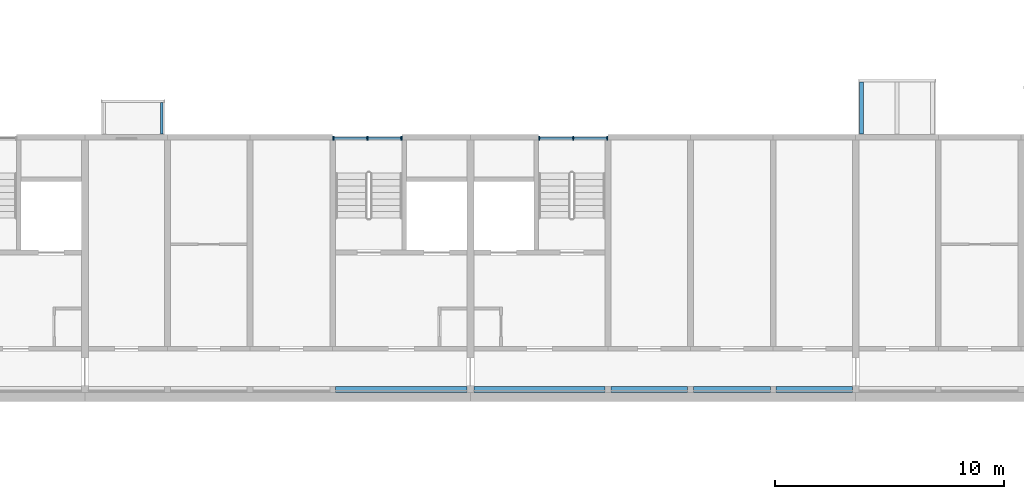
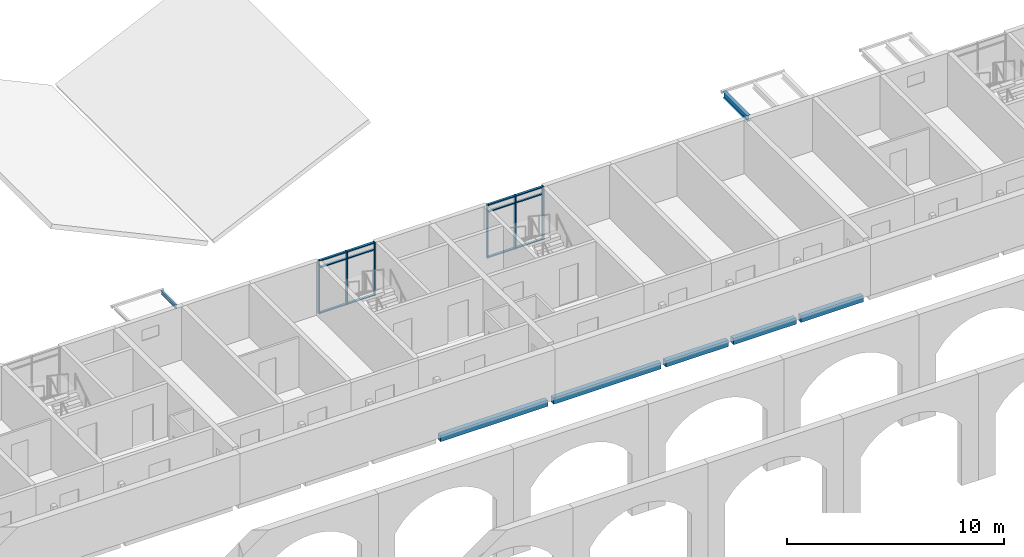
# One storey, part 11 of 122: 18 members, 7 beams, 2 elements without a shape of their own.
"""IFC4 building model written with IfcOpenShell, lengths in metres."""

from ifc_helpers import new_model, si_unit, direction, frame, origin, origin_2d, place, context, subcontext, project, spatial, rectangle, i_section, extrude, material, material_profile, profile_set, type_object, element, aggregate, save


model = new_model("IFC4")

# Units and contexts
model_context = context("Model", 3, precision=1e-05, world=origin(), true_north=direction((0.0, 1.0)))
body_context = subcontext(model_context, "Body", "Model", "MODEL_VIEW")
ifc_project = project(units=[si_unit("LENGTHUNIT", "METRE"), si_unit("AREAUNIT", "SQUARE_METRE"), si_unit("VOLUMEUNIT", "CUBIC_METRE"), si_unit("PLANEANGLEUNIT", "RADIAN"), si_unit("MASSUNIT", "GRAM", prefix="KILO")], contexts=[model_context])

# Site, building, storey
site_placement = place(None, origin())
site = spatial("IfcSite", under=ifc_project, at=site_placement, CompositionType="ELEMENT")
building_placement = place(site_placement, origin())
building = spatial("IfcBuilding", under=site, at=building_placement, Name="Ridgestep Commons", CompositionType="ELEMENT")
storey_placement = place(building_placement, frame((0.0, 0.0, 3.0)))
storey = spatial("IfcBuildingStorey", under=building, at=storey_placement, Name="L01", CompositionType="ELEMENT", Elevation=3.0)

# Beams
ifc_material_1 = material(Name="Precast concrete C40/50", Category="concrete")
ifc_material_profile_1 = material_profile(ifc_material_1, rectangle(XDim=0.25, YDim=0.35009765625, at=origin_2d()), Name="PC 250x350")
ifc_profile_set_1 = profile_set([ifc_material_profile_1], Name="Precast concrete C40/50")
beam_type_1 = type_object("IfcBeamType", Name="Loggia edge beam 250 x 350", PredefinedType="SPANDREL", material=ifc_profile_set_1)
beam_1_placement = place(storey_placement, frame((39.72509765625, 11.875, -0.375), z_axis=(1.0, 0.0, 0.0), x_axis=(0.0, 1.0, 0.0)))
element("IfcBeam", 1, at=beam_1_placement, inside=storey, type_object=beam_type_1, Name="Loggia edge beam A2C L01", PredefinedType="SPANDREL", context=body_context, shape_type="SweptSolid", body=[
    extrude(rectangle(XDim=0.25, YDim=0.35009765625, at=origin_2d()), origin(), (0.0, 0.0, 1.0), 5.724853515625),
])
beam_2_placement = place(storey_placement, frame((45.75, 11.875, -0.375), z_axis=(1.0, 0.0, 0.0), x_axis=(0.0, 1.0, 0.0)))
element("IfcBeam", 2, at=beam_2_placement, inside=storey, type_object=beam_type_1, Name="Loggia edge beam A3C L01", PredefinedType="SPANDREL", context=body_context, shape_type="SweptSolid", body=[
    extrude(rectangle(XDim=0.25, YDim=0.35009765625, at=origin_2d()), origin(), (0.0, 0.0, 1.0), 5.72509765625),
])
beam_3_placement = place(storey_placement, frame((51.72509765625, 11.875, -0.375), z_axis=(1.0, 0.0, 0.0), x_axis=(0.0, 1.0, 0.0)))
element("IfcBeam", 3, at=beam_3_placement, inside=storey, type_object=beam_type_1, Name="Loggia edge beam A3T3 L01", PredefinedType="SPANDREL", context=body_context, shape_type="SweptSolid", body=[
    extrude(rectangle(XDim=0.25, YDim=0.35009765625, at=origin_2d()), origin(), (0.0, 0.0, 1.0), 3.349853515625),
])
beam_4_placement = place(storey_placement, frame((55.324951171875, 11.875, -0.375), z_axis=(1.0, 0.0, 0.0), x_axis=(0.0, 1.0, 0.0)))
element("IfcBeam", 4, at=beam_4_placement, inside=storey, type_object=beam_type_1, Name="Loggia edge beam A3T2 L01", PredefinedType="SPANDREL", context=body_context, shape_type="SweptSolid", body=[
    extrude(rectangle(XDim=0.25, YDim=0.35009765625, at=origin_2d()), origin(), (0.0, 0.0, 1.0), 3.35009765625),
])
beam_5_placement = place(storey_placement, frame((58.925048828125, 11.875, -0.375), z_axis=(1.0, 0.0, 0.0), x_axis=(0.0, 1.0, 0.0)))
element("IfcBeam", 5, at=beam_5_placement, inside=storey, type_object=beam_type_1, Name="Loggia edge beam A3T1 L01", PredefinedType="SPANDREL", context=body_context, shape_type="SweptSolid", body=[
    extrude(rectangle(XDim=0.25, YDim=0.35009765625, at=origin_2d()), origin(), (0.0, 0.0, 1.0), 3.324951171875),
])

# Curtain wall, members
ifc_material_2 = material(Name="Aluminium 6063-T6 and glass", Category="aluminium")
curtain_wall_type = type_object("IfcCurtainWallType", Name="Curtain wall stair strip", PredefinedType="NOTDEFINED", material=ifc_material_2)
curtain_wall_1_placement = place(storey_placement, origin())
curtain_wall_1 = element("IfcCurtainWall", 6, at=curtain_wall_1_placement, inside=storey, type_object=curtain_wall_type, Name="Curtain wall A2C level 01", PredefinedType="NOTDEFINED")
ifc_material_3 = material(Name="Aluminium 6063-T6", Category="aluminium")
ifc_material_profile_2 = material_profile(ifc_material_3, rectangle(XDim=0.159912109375, YDim=0.06005859375, at=origin_2d()), Name="Mullion 60 x 160")
ifc_profile_set_2 = profile_set([ifc_material_profile_2], Name="Aluminium 6063-T6")
member_type_1 = type_object("IfcMemberType", Name="Mullion 60 x 160", PredefinedType="MULLION", material=ifc_profile_set_2)
member_1_placement = place(storey_placement, frame((39.6298828125, 22.830078125, 0.0), z_axis=(0.0, 0.0, 1.0), x_axis=(0.0, 1.0, 0.0)))
member_1 = element("IfcMember", 7, at=member_1_placement, type_object=member_type_1, Name="CW1 mullion 1", PredefinedType="MULLION", context=body_context, shape_type="SweptSolid", body=[
    extrude(rectangle(XDim=0.159912109375, YDim=0.06005859375, at=origin_2d()), origin(), (0.0, 0.0, 1.0), 3.0),
])
member_2_placement = place(storey_placement, frame((41.112548828125, 22.830078125, 0.0), z_axis=(0.0, 0.0, 1.0), x_axis=(0.0, 1.0, 0.0)))
member_2 = element("IfcMember", 8, at=member_2_placement, type_object=member_type_1, Name="CW1 mullion 2", PredefinedType="MULLION", context=body_context, shape_type="SweptSolid", body=[
    extrude(rectangle(XDim=0.159912109375, YDim=0.06005859375, at=origin_2d()), origin(), (0.0, 0.0, 1.0), 3.0),
])
member_3_placement = place(storey_placement, frame((42.594970703125, 22.830078125, 0.0), z_axis=(0.0, 0.0, 1.0), x_axis=(0.0, 1.0, 0.0)))
member_3 = element("IfcMember", 9, at=member_3_placement, type_object=member_type_1, Name="CW1 mullion 3", PredefinedType="MULLION", context=body_context, shape_type="SweptSolid", body=[
    extrude(rectangle(XDim=0.159912109375, YDim=0.06005859375, at=origin_2d()), origin(), (0.0, 0.0, 1.0), 3.0),
])

curtain_wall_2_placement = place(storey_placement, origin())
curtain_wall_2 = element("IfcCurtainWall", 10, at=curtain_wall_2_placement, inside=storey, type_object=curtain_wall_type, Name="Curtain wall A3C level 01", PredefinedType="NOTDEFINED")
member_4_placement = place(storey_placement, frame((48.60498046875, 22.830078125, 0.0), z_axis=(0.0, 0.0, 1.0), x_axis=(0.0, 1.0, 0.0)))
member_4 = element("IfcMember", 11, at=member_4_placement, type_object=member_type_1, Name="CW1 mullion 1", PredefinedType="MULLION", context=body_context, shape_type="SweptSolid", body=[
    extrude(rectangle(XDim=0.159912109375, YDim=0.06005859375, at=origin_2d()), origin(), (0.0, 0.0, 1.0), 3.0),
])
member_5_placement = place(storey_placement, frame((50.08740234375, 22.830078125, 0.0), z_axis=(0.0, 0.0, 1.0), x_axis=(0.0, 1.0, 0.0)))
member_5 = element("IfcMember", 12, at=member_5_placement, type_object=member_type_1, Name="CW1 mullion 2", PredefinedType="MULLION", context=body_context, shape_type="SweptSolid", body=[
    extrude(rectangle(XDim=0.159912109375, YDim=0.06005859375, at=origin_2d()), origin(), (0.0, 0.0, 1.0), 3.0),
])
member_6_placement = place(storey_placement, frame((51.570068359375, 22.830078125, 0.0), z_axis=(0.0, 0.0, 1.0), x_axis=(0.0, 1.0, 0.0)))
member_6 = element("IfcMember", 13, at=member_6_placement, type_object=member_type_1, Name="CW1 mullion 3", PredefinedType="MULLION", context=body_context, shape_type="SweptSolid", body=[
    extrude(rectangle(XDim=0.159912109375, YDim=0.06005859375, at=origin_2d()), origin(), (0.0, 0.0, 1.0), 3.0),
])

# Member
ifc_material_4 = material(Name="Aluminium 6063-T6", Category="aluminium")
ifc_material_profile_3 = material_profile(ifc_material_4, rectangle(XDim=0.1201171875, YDim=0.06005859375, at=origin_2d()), Name="Transom 60 x 120")
ifc_profile_set_3 = profile_set([ifc_material_profile_3], Name="Aluminium 6063-T6")
member_type_2 = type_object("IfcMemberType", Name="Transom 60 x 120", PredefinedType="USERDEFINED", material=ifc_profile_set_3)
member_7_placement = place(storey_placement, frame((39.659912109375, 22.830078125, 0.030029296875), z_axis=(1.0, 0.0, 0.0), x_axis=(0.0, 1.0, 0.0)))
member_7 = element("IfcMember", 14, at=member_7_placement, type_object=member_type_2, Name="CW1 transom 1.1", ObjectType="TRANSOM", PredefinedType="USERDEFINED", context=body_context, shape_type="SweptSolid", body=[
    extrude(rectangle(XDim=0.1201171875, YDim=0.06005859375, at=origin_2d()), origin(), (0.0, 0.0, 1.0), 1.422607421875),
])

member_8_placement = place(storey_placement, frame((39.659912109375, 22.830078125, 2.590087890625), z_axis=(1.0, 0.0, 0.0), x_axis=(0.0, 1.0, 0.0)))
member_8 = element("IfcMember", 15, at=member_8_placement, type_object=member_type_2, Name="CW1 transom 1.2", ObjectType="TRANSOM", PredefinedType="USERDEFINED", context=body_context, shape_type="SweptSolid", body=[
    extrude(rectangle(XDim=0.1201171875, YDim=0.06005859375, at=origin_2d()), origin(), (0.0, 0.0, 1.0), 1.422607421875),
])

member_9_placement = place(storey_placement, frame((39.659912109375, 22.830078125, 2.969970703125), z_axis=(1.0, 0.0, 0.0), x_axis=(0.0, 1.0, 0.0)))
member_9 = element("IfcMember", 16, at=member_9_placement, type_object=member_type_2, Name="CW1 transom 1.3", ObjectType="TRANSOM", PredefinedType="USERDEFINED", context=body_context, shape_type="SweptSolid", body=[
    extrude(rectangle(XDim=0.1201171875, YDim=0.06005859375, at=origin_2d()), origin(), (0.0, 0.0, 1.0), 1.422607421875),
])

member_10_placement = place(storey_placement, frame((41.142578125, 22.830078125, 0.030029296875), z_axis=(1.0, 0.0, 0.0), x_axis=(0.0, 1.0, 0.0)))
member_10 = element("IfcMember", 17, at=member_10_placement, type_object=member_type_2, Name="CW1 transom 2.1", ObjectType="TRANSOM", PredefinedType="USERDEFINED", context=body_context, shape_type="SweptSolid", body=[
    extrude(rectangle(XDim=0.1201171875, YDim=0.06005859375, at=origin_2d()), origin(), (0.0, 0.0, 1.0), 1.42236328125),
])

member_11_placement = place(storey_placement, frame((41.142578125, 22.830078125, 2.590087890625), z_axis=(1.0, 0.0, 0.0), x_axis=(0.0, 1.0, 0.0)))
member_11 = element("IfcMember", 18, at=member_11_placement, type_object=member_type_2, Name="CW1 transom 2.2", ObjectType="TRANSOM", PredefinedType="USERDEFINED", context=body_context, shape_type="SweptSolid", body=[
    extrude(rectangle(XDim=0.1201171875, YDim=0.06005859375, at=origin_2d()), origin(), (0.0, 0.0, 1.0), 1.42236328125),
])

member_12_placement = place(storey_placement, frame((41.142578125, 22.830078125, 2.969970703125), z_axis=(1.0, 0.0, 0.0), x_axis=(0.0, 1.0, 0.0)))
member_12 = element("IfcMember", 19, at=member_12_placement, type_object=member_type_2, Name="CW1 transom 2.3", ObjectType="TRANSOM", PredefinedType="USERDEFINED", context=body_context, shape_type="SweptSolid", body=[
    extrude(rectangle(XDim=0.1201171875, YDim=0.06005859375, at=origin_2d()), origin(), (0.0, 0.0, 1.0), 1.42236328125),
])

aggregate(curtain_wall_1, [member_1, member_2, member_3, member_7, member_8, member_9, member_10, member_11, member_12])

member_13_placement = place(storey_placement, frame((48.635009765625, 22.830078125, 0.030029296875), z_axis=(1.0, 0.0, 0.0), x_axis=(0.0, 1.0, 0.0)))
member_13 = element("IfcMember", 20, at=member_13_placement, type_object=member_type_2, Name="CW1 transom 1.1", ObjectType="TRANSOM", PredefinedType="USERDEFINED", context=body_context, shape_type="SweptSolid", body=[
    extrude(rectangle(XDim=0.1201171875, YDim=0.06005859375, at=origin_2d()), origin(), (0.0, 0.0, 1.0), 1.422607421875),
])

member_14_placement = place(storey_placement, frame((48.635009765625, 22.830078125, 2.590087890625), z_axis=(1.0, 0.0, 0.0), x_axis=(0.0, 1.0, 0.0)))
member_14 = element("IfcMember", 21, at=member_14_placement, type_object=member_type_2, Name="CW1 transom 1.2", ObjectType="TRANSOM", PredefinedType="USERDEFINED", context=body_context, shape_type="SweptSolid", body=[
    extrude(rectangle(XDim=0.1201171875, YDim=0.06005859375, at=origin_2d()), origin(), (0.0, 0.0, 1.0), 1.422607421875),
])

member_15_placement = place(storey_placement, frame((48.635009765625, 22.830078125, 2.969970703125), z_axis=(1.0, 0.0, 0.0), x_axis=(0.0, 1.0, 0.0)))
member_15 = element("IfcMember", 22, at=member_15_placement, type_object=member_type_2, Name="CW1 transom 1.3", ObjectType="TRANSOM", PredefinedType="USERDEFINED", context=body_context, shape_type="SweptSolid", body=[
    extrude(rectangle(XDim=0.1201171875, YDim=0.06005859375, at=origin_2d()), origin(), (0.0, 0.0, 1.0), 1.422607421875),
])

member_16_placement = place(storey_placement, frame((50.117431640625, 22.830078125, 0.030029296875), z_axis=(1.0, 0.0, 0.0), x_axis=(0.0, 1.0, 0.0)))
member_16 = element("IfcMember", 23, at=member_16_placement, type_object=member_type_2, Name="CW1 transom 2.1", ObjectType="TRANSOM", PredefinedType="USERDEFINED", context=body_context, shape_type="SweptSolid", body=[
    extrude(rectangle(XDim=0.1201171875, YDim=0.06005859375, at=origin_2d()), origin(), (0.0, 0.0, 1.0), 1.422607421875),
])

member_17_placement = place(storey_placement, frame((50.117431640625, 22.830078125, 2.590087890625), z_axis=(1.0, 0.0, 0.0), x_axis=(0.0, 1.0, 0.0)))
member_17 = element("IfcMember", 24, at=member_17_placement, type_object=member_type_2, Name="CW1 transom 2.2", ObjectType="TRANSOM", PredefinedType="USERDEFINED", context=body_context, shape_type="SweptSolid", body=[
    extrude(rectangle(XDim=0.1201171875, YDim=0.06005859375, at=origin_2d()), origin(), (0.0, 0.0, 1.0), 1.422607421875),
])

member_18_placement = place(storey_placement, frame((50.117431640625, 22.830078125, 2.969970703125), z_axis=(1.0, 0.0, 0.0), x_axis=(0.0, 1.0, 0.0)))
member_18 = element("IfcMember", 25, at=member_18_placement, type_object=member_type_2, Name="CW1 transom 2.3", ObjectType="TRANSOM", PredefinedType="USERDEFINED", context=body_context, shape_type="SweptSolid", body=[
    extrude(rectangle(XDim=0.1201171875, YDim=0.06005859375, at=origin_2d()), origin(), (0.0, 0.0, 1.0), 1.422607421875),
])

aggregate(curtain_wall_2, [member_4, member_5, member_6, member_13, member_14, member_15, member_16, member_17, member_18])

# Beams
ifc_material_5 = material(Name="Weathering steel S355J2W", Category="steel")
ifc_material_profile_4 = material_profile(ifc_material_5, i_section(OverallWidth=0.101806640625, OverallDepth=0.203125, WebThickness=0.00537109375, FlangeThickness=0.00927734375, FilletRadius=0.007568359375, at=origin_2d()), Name="UB 203x102x23")
ifc_profile_set_4 = profile_set([ifc_material_profile_4], Name="Weathering steel S355J2W")
beam_type_2 = type_object("IfcBeamType", Name="Tray arm UB 203x102x23", PredefinedType="BEAM", material=ifc_profile_set_4)
beam_6_placement = place(storey_placement, frame((32.14990234375, 23.014892578125, 2.888427734375), z_axis=(0.0, 1.0, 0.0), x_axis=(-1.0, 0.0, 0.0)))
element("IfcBeam", 26, at=beam_6_placement, inside=storey, type_object=beam_type_2, Name="Tray arm A2T1-02.2", PredefinedType="BEAM", context=body_context, shape_type="SweptSolid", body=[
    extrude(i_section(OverallWidth=0.101806640625, OverallDepth=0.203125, WebThickness=0.00537109375, FlangeThickness=0.00927734375, FilletRadius=0.007568359375, at=origin_2d()), origin(), (0.0, 0.0, 1.0), 1.364990234375),
])
ifc_material_6 = material(Name="Weathering steel S355J2W", Category="steel")
ifc_material_profile_5 = material_profile(ifc_material_6, i_section(OverallWidth=0.171142578125, OverallDepth=0.351318359375, WebThickness=0.007080078125, FlangeThickness=0.009765625, FilletRadius=0.01025390625, at=origin_2d()), Name="UB 356x171x45")
ifc_profile_set_5 = profile_set([ifc_material_profile_5], Name="Weathering steel S355J2W")
beam_type_3 = type_object("IfcBeamType", Name="Tray arm UB 356x171x45", PredefinedType="BEAM", material=ifc_profile_set_5)
beam_7_placement = place(storey_placement, frame((62.64990234375, 23.014892578125, 2.814208984375), z_axis=(0.0, 1.0, 0.0), x_axis=(-1.0, 0.0, 0.0)))
element("IfcBeam", 27, at=beam_7_placement, inside=storey, type_object=beam_type_3, Name="Tray arm A4T1-02.1", PredefinedType="BEAM", context=body_context, shape_type="SweptSolid", body=[
    extrude(i_section(OverallWidth=0.171142578125, OverallDepth=0.351318359375, WebThickness=0.007080078125, FlangeThickness=0.009765625, FilletRadius=0.01025390625, at=origin_2d()), origin(), (0.0, 0.0, 1.0), 2.26513671875),
])

save(model, "model.ifc")
